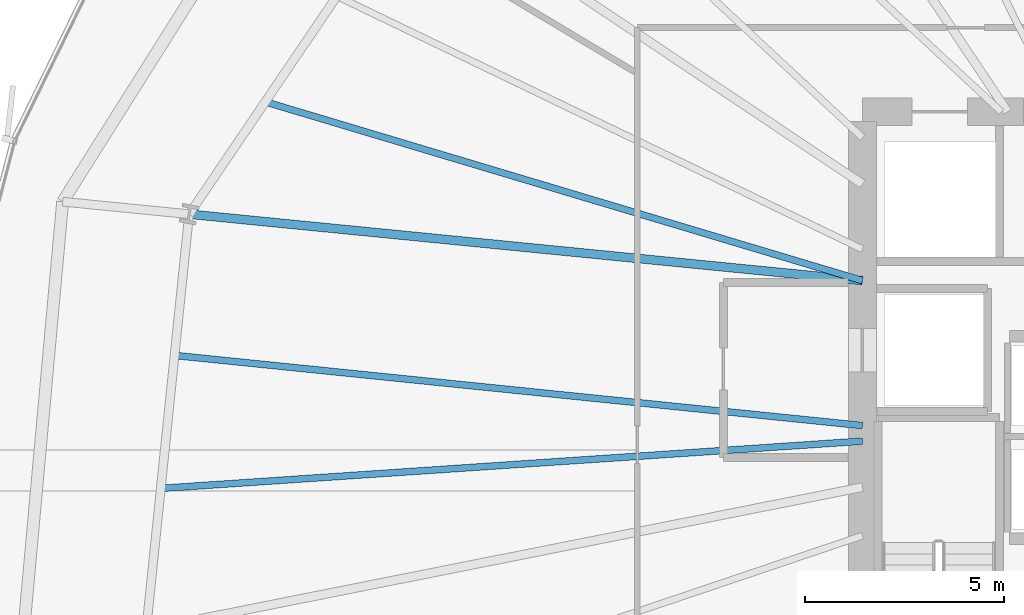
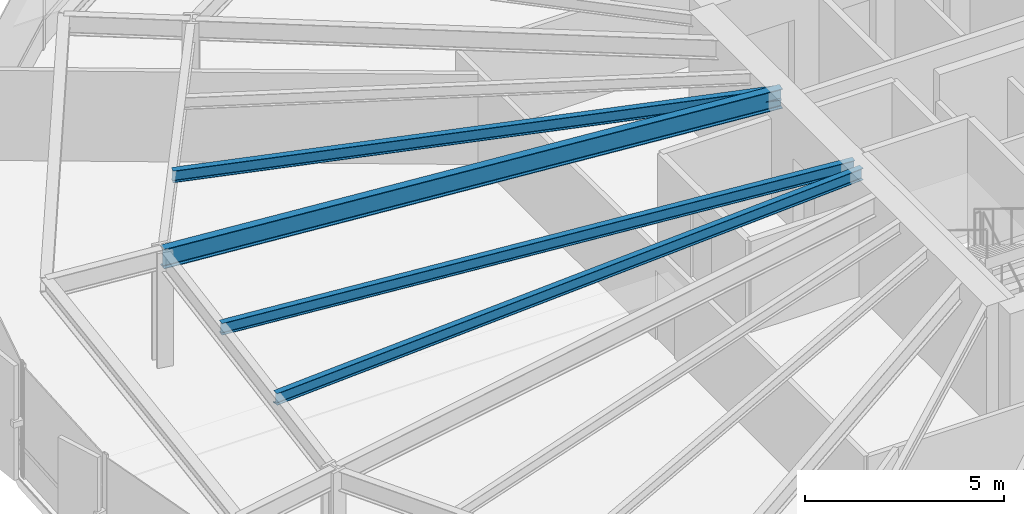
# One storey, part 10 of 39: 4 beams.
"""IFC4 building model written with IfcOpenShell, lengths in metres."""

import ifcopenshell
import ifcopenshell.guid

model = None  # the IFC model being written
_history = None  # IfcOwnerHistory: only IFC2X3 demands one
_inside = {}  # id of a spatial element -> (the spatial element, [elements in it])
_under = {}  # id of a project, library or spatial element -> (it, [spatial elements below it])
_declared = {}  # id of a project -> (the project, [libraries it declares])
_typed = {}  # id of a type object -> (the type object, [elements of that type])
_made_of = {}  # id of a material, layer set ... -> (it, [elements and type objects made of it])


def new_model(schema):
    """Start an empty IFC model of exactly this schema.

    Asked for "IFC4X3", IfcOpenShell would pick the latest addendum, in which some entities
    have other attributes; the version numbers below select the first issue.
    IFC2X3 requires an IfcOwnerHistory on every rooted entity: one is made here for all.
    """
    global model, _history
    if schema == "IFC4X3":
        model = ifcopenshell.file(schema_version=(4, 3, 0, 0))
    else:
        model = ifcopenshell.file(schema=schema)
    _inside.clear()
    _under.clear()
    _declared.clear()
    _typed.clear()
    _made_of.clear()
    _history = None
    if model.schema == "IFC2X3":
        org = make("IfcOrganization", Name="unknown")
        user = make(
            "IfcPersonAndOrganization",
            ThePerson=make("IfcPerson", FamilyName="unknown"),
            TheOrganization=org,
        )
        app = make(
            "IfcApplication",
            ApplicationDeveloper=org,
            Version="unknown",
            ApplicationFullName="unknown",
            ApplicationIdentifier="unknown",
        )
        _history = make(
            "IfcOwnerHistory",
            OwningUser=user,
            OwningApplication=app,
            ChangeAction="ADDED",
            CreationDate=0,
        )
    return model


def make(cls, **values):
    """One entity of the class cls with the attributes given. An attribute that is None is left unset."""
    return model.create_entity(
        cls, **{name: value for name, value in values.items() if value is not None}
    )


def rooted(cls, **values):
    """An entity with a GlobalId (a new one), such as an element, a storey or a relation."""
    return make(cls, GlobalId=ifcopenshell.guid.new(), OwnerHistory=_history, **values)


def si_unit(unit_type, name, prefix=None):
    """IfcSIUnit, for example si_unit("LENGTHUNIT", "METRE", prefix="MILLI")."""
    return make("IfcSIUnit", UnitType=unit_type, Prefix=prefix, Name=name)


def assignment(units):
    """IfcUnitAssignment: the units of a project."""
    return None if units is None else make("IfcUnitAssignment", Units=units)


def point(xyz):
    """IfcCartesianPoint."""
    return None if xyz is None else make("IfcCartesianPoint", Coordinates=xyz)


def direction(xyz):
    """IfcDirection."""
    return None if xyz is None else make("IfcDirection", DirectionRatios=xyz)


def frame(location, z_axis=None, x_axis=None):
    """IfcAxis2Placement3D, a coordinate frame: its origin and axes. An axis left out is left unset."""
    return make(
        "IfcAxis2Placement3D",
        Location=point(location),
        Axis=direction(z_axis),
        RefDirection=direction(x_axis),
    )


def frame_2d(location, x_axis=None):
    """IfcAxis2Placement2D, a coordinate frame in the plane: its origin and x axis."""
    return make(
        "IfcAxis2Placement2D", Location=point(location), RefDirection=direction(x_axis)
    )


def origin():
    """The frame at (0, 0, 0) with its axes left unset."""
    return frame((0.0, 0.0, 0.0))


def origin_2d():
    """The frame at (0, 0) in the plane with its x axis left unset."""
    return frame_2d((0.0, 0.0))


def place(relative_to, where):
    """IfcLocalPlacement: puts the frame where relative to a parent placement (None: the world)."""
    return make(
        "IfcLocalPlacement", PlacementRelTo=relative_to, RelativePlacement=where
    )


def context(
    kind, dimensions, precision=None, world=None, true_north=None, identifier=None
):
    """IfcGeometricRepresentationContext, for example the 3D "Model" context."""
    return make(
        "IfcGeometricRepresentationContext",
        ContextIdentifier=identifier,
        ContextType=kind,
        CoordinateSpaceDimension=dimensions,
        Precision=precision,
        WorldCoordinateSystem=world,
        TrueNorth=true_north,
    )


def subcontext(parent, identifier, kind, view, scale=None):
    """IfcGeometricRepresentationSubContext, for example "Body" below "Model"."""
    return make(
        "IfcGeometricRepresentationSubContext",
        ContextIdentifier=identifier,
        ContextType=kind,
        ParentContext=parent,
        TargetScale=scale,
        TargetView=view,
    )


def project(units=None, contexts=None):
    """IfcProject with its units and contexts."""
    return rooted(
        "IfcProject",
        Name="project",
        RepresentationContexts=contexts,
        UnitsInContext=assignment(units),
    )


def spatial(cls, under=None, at=None, **own):
    """A site, building, storey or space (cls), placed at a placement, below another one or the project."""
    s = rooted(cls, ObjectPlacement=at, **own)
    if under is not None:
        _under.setdefault(under.id(), (under, []))[1].append(s)
    return s


def profile(cls, at=None, kind="AREA", **sizes):
    """A parametric profile (cls). Its sizes go by their IFC names, for example OverallWidth=200.0."""
    return make(cls, ProfileType=kind, Position=at, **sizes)


def i_section(**sizes):
    """IfcIShapeProfileDef."""
    return profile("IfcIShapeProfileDef", **sizes)


def extrude(swept, where, along, depth):
    """IfcExtrudedAreaSolid: the profile swept, set in the frame where, extruded along a direction by depth."""
    return make(
        "IfcExtrudedAreaSolid",
        SweptArea=swept,
        Position=where,
        ExtrudedDirection=direction(along),
        Depth=depth,
    )


def shape(context_of_items, identifier, shape_type, items):
    """IfcShapeRepresentation: the items that make up one representation, for example the "Body"."""
    return make(
        "IfcShapeRepresentation",
        ContextOfItems=context_of_items,
        RepresentationIdentifier=identifier,
        RepresentationType=shape_type,
        Items=items,
    )


def source(mapping_origin, context_of_items, identifier, shape_type, items):
    """IfcRepresentationMap: a shape defined once, which mapped items show again and again."""
    return make(
        "IfcRepresentationMap",
        MappingOrigin=mapping_origin,
        MappedRepresentation=shape(context_of_items, identifier, shape_type, items),
    )


def transform(
    local_origin,
    x_axis=None,
    y_axis=None,
    z_axis=None,
    scale=None,
    scale2=None,
    scale3=None,
    uniform=True,
):
    """IfcCartesianTransformationOperator3D, or its non-uniform kind. x_axis, y_axis, z_axis: its Axis1, 2, 3."""
    if uniform:
        return make(
            "IfcCartesianTransformationOperator3D",
            Axis1=direction(x_axis),
            Axis2=direction(y_axis),
            LocalOrigin=point(local_origin),
            Scale=scale,
            Axis3=direction(z_axis),
        )
    return make(
        "IfcCartesianTransformationOperator3DnonUniform",
        Axis1=direction(x_axis),
        Axis2=direction(y_axis),
        LocalOrigin=point(local_origin),
        Scale=scale,
        Axis3=direction(z_axis),
        Scale2=scale2,
        Scale3=scale3,
    )


def mapped(mapping_source, mapping_target):
    """IfcMappedItem: shows the shape of a source again, moved by a transform."""
    return make(
        "IfcMappedItem", MappingSource=mapping_source, MappingTarget=mapping_target
    )


def material(Name=None, Category=None):
    """IfcMaterial."""
    return make("IfcMaterial", Name=Name, Category=Category)


def material_profile(
    of_material, cross_section, Name=None, Category=None, Priority=None
):
    """IfcMaterialProfile: a cross section and its material."""
    return make(
        "IfcMaterialProfile",
        Name=Name,
        Material=of_material,
        Profile=cross_section,
        Priority=Priority,
        Category=Category,
    )


def profile_set(profiles, Name=None, composite=None):
    """IfcMaterialProfileSet."""
    return make(
        "IfcMaterialProfileSet",
        Name=Name,
        MaterialProfiles=profiles,
        CompositeProfile=composite,
    )


def made_of(thing, what):
    """Note that an element or type object is made of a material, layer set ...; save() writes the relation."""
    if what is not None:
        _made_of.setdefault(what.id(), (what, []))[1].append(thing)
    return thing


def type_object(cls, material=None, **own):
    """A type object (cls), such as IfcWallType, which elements share."""
    return made_of(rooted(cls, **own), material)


def element(
    cls,
    number,
    at=None,
    inside=None,
    cuts=None,
    type_object=None,
    material=None,
    context=None,
    identifier="Body",
    shape_type=None,
    held_by="IfcProductDefinitionShape",
    body=None,
    shapes=None,
    **own,
):
    """One element of the class cls, such as IfcWall. Its Tag is "e" and its number.

    at: its placement. inside: the storey or other place that contains it. cuts: it is an
    opening in that element (IfcRelVoidsElement). A single representation is given by context,
    identifier, shape_type and body (its items); several are given by shapes. held_by: the class
    of the entity that holds the representations. save() writes the other relations.
    """
    e = rooted(cls, Tag="e%d" % number, ObjectPlacement=at, **own)
    if body is not None:
        shapes = [shape(context, identifier, shape_type, body)]
    if shapes is not None:
        e.Representation = make(held_by, Representations=shapes)
    if inside is not None:
        _inside.setdefault(inside.id(), (inside, []))[1].append(e)
    if cuts is not None:
        rooted(
            "IfcRelVoidsElement", RelatingBuildingElement=cuts, RelatedOpeningElement=e
        )
    if type_object is not None:
        _typed.setdefault(type_object.id(), (type_object, []))[1].append(e)
    return made_of(e, material)


def aggregate(whole, parts):
    """IfcRelAggregates: a whole, such as a stair, and the parts it consists of."""
    return rooted("IfcRelAggregates", RelatingObject=whole, RelatedObjects=parts)


def save(model, path):
    """Write the relations noted so far, then the file.

    IfcRelAggregates (storeys below a building ...), IfcRelContainedInSpatialStructure (elements
    in a storey), IfcRelDefinesByType, IfcRelAssociatesMaterial and IfcRelDeclares: one each for
    every whole, place, type object, material and project.
    """
    for whole, parts in _under.values():
        aggregate(whole, parts)
    for where, things in _inside.values():
        rooted(
            "IfcRelContainedInSpatialStructure",
            RelatedElements=things,
            RelatingStructure=where,
        )
    for kind, things in _typed.values():
        rooted("IfcRelDefinesByType", RelatedObjects=things, RelatingType=kind)
    for what, things in _made_of.values():
        rooted("IfcRelAssociatesMaterial", RelatedObjects=things, RelatingMaterial=what)
    for by, libraries in _declared.values():
        rooted("IfcRelDeclares", RelatingContext=by, RelatedDefinitions=libraries)
    model.write(path)


model = new_model("IFC4")

# Units and contexts
model_context = context("Model", 3, precision=1e-05, world=origin(), true_north=direction((0.0, 1.0)))
body_context = subcontext(model_context, "Body", "Model", "MODEL_VIEW")
ifc_project = project(units=[si_unit("LENGTHUNIT", "METRE"), si_unit("AREAUNIT", "SQUARE_METRE"), si_unit("VOLUMEUNIT", "CUBIC_METRE"), si_unit("PLANEANGLEUNIT", "RADIAN"), si_unit("MASSUNIT", "GRAM", prefix="KILO"), si_unit("THERMODYNAMICTEMPERATUREUNIT", "KELVIN")], contexts=[model_context])

# Site, building, storey
site_placement = place(None, origin())
site = spatial("IfcSite", under=ifc_project, at=site_placement, CompositionType="ELEMENT")
building_placement = place(site_placement, origin())
building = spatial("IfcBuilding", under=site, at=building_placement, Name="Kethvar Cultural Tower", CompositionType="ELEMENT")
storey_placement = place(building_placement, frame((0.0, 0.0, 44.800048828125)))
storey = spatial("IfcBuildingStorey", under=building, at=storey_placement, Name="L10", CompositionType="ELEMENT", Elevation=44.800048828125)

# Beams
ifc_material = material(Name="Steel S355J2", Category="steel")
ifc_material_profile_1 = material_profile(ifc_material, i_section(OverallWidth=0.219970703125, OverallDepth=0.60009765625, WebThickness=0.011962890625, FlangeThickness=0.01904296875, FilletRadius=0.02392578125, at=origin_2d()), Name="Steel S355J2 — IPE600")
ifc_profile_set_1 = profile_set([ifc_material_profile_1], Name="Steel S355J2 — IPE600")
beam_type_1 = type_object("IfcBeamType", Name="BM-IPE600", PredefinedType="BEAM", material=ifc_profile_set_1)
shared_shape_1 = source(origin(), body_context, "Body", "SweptSolid", [
    extrude(i_section(OverallWidth=0.219970703125, OverallDepth=0.60009765625, WebThickness=0.011962890625, FlangeThickness=0.01904296875, FilletRadius=0.02392578125, at=origin_2d()), origin(), (0.0, 0.0, 1.0), 17.03515625),
])
beam_1_placement = place(storey_placement, frame((38.0, 31.25, 3.248046875), z_axis=(-0.995168138859, 0.098185413375, 0.0), x_axis=(-0.098185413375, -0.995168138859, 0.0)))
element("IfcBeam", 1, at=beam_1_placement, inside=storey, type_object=beam_type_1, Name="L10 Primary Radial Beam RB-08", PredefinedType="BEAM", context=body_context, shape_type="MappedRepresentation", body=[
    mapped(shared_shape_1, transform((0.0, 0.0, 0.0), scale=1.0)),
])
ifc_material_profile_2 = material_profile(ifc_material, i_section(OverallWidth=0.169921875, OverallDepth=0.360107421875, WebThickness=0.008056640625, FlangeThickness=0.0126953125, FilletRadius=0.01806640625, at=origin_2d()), Name="Steel S355J2 — IPE360")
ifc_profile_set_2 = profile_set([ifc_material_profile_2], Name="Steel S355J2 — IPE360")
beam_type_2 = type_object("IfcBeamType", Name="BM-J360", PredefinedType="JOIST", material=ifc_profile_set_2)
shared_shape_2 = source(origin(), body_context, "Body", "SweptSolid", [
    extrude(i_section(OverallWidth=0.169921875, OverallDepth=0.360107421875, WebThickness=0.008056640625, FlangeThickness=0.0126953125, FilletRadius=0.01806640625, at=origin_2d()), origin(), (0.0, 0.0, 1.0), 15.6953125),
])
beam_2_placement = place(storey_placement, frame((38.0, 31.25, 3.367919921875), z_axis=(-0.958003344758, 0.28675702508, 0.0), x_axis=(-0.28675702508, -0.958003344758, 0.0)))
element("IfcBeam", 2, at=beam_2_placement, inside=storey, type_object=beam_type_2, Name="L10 Composite Floor Joist J-07B", PredefinedType="JOIST", context=body_context, shape_type="MappedRepresentation", body=[
    mapped(shared_shape_2, transform((0.0, 0.0, 0.0), scale=1.0)),
])
shared_shape_3 = source(origin(), body_context, "Body", "SweptSolid", [
    extrude(i_section(OverallWidth=0.169921875, OverallDepth=0.360107421875, WebThickness=0.008056640625, FlangeThickness=0.0126953125, FilletRadius=0.01806640625, at=origin_2d()), origin(), (0.0, 0.0, 1.0), 17.410400390625),
])
beam_3_placement = place(storey_placement, frame((38.0, 27.60009765625, 3.367919921875), z_axis=(-0.99484162516, 0.101440331474, 0.0), x_axis=(-0.101440331474, -0.99484162516, 0.0)))
element("IfcBeam", 3, at=beam_3_placement, inside=storey, type_object=beam_type_2, Name="L10 Composite Floor Joist J-08A", PredefinedType="JOIST", context=body_context, shape_type="MappedRepresentation", body=[
    mapped(shared_shape_3, transform((0.0, 0.0, 0.0), scale=1.0)),
])
shared_shape_4 = source(origin(), body_context, "Body", "SweptSolid", [
    extrude(i_section(OverallWidth=0.169921875, OverallDepth=0.360107421875, WebThickness=0.008056640625, FlangeThickness=0.0126953125, FilletRadius=0.01806640625, at=origin_2d()), origin(), (0.0, 0.0, 1.0), 17.70654296875),
])
beam_4_placement = place(storey_placement, frame((38.0, 27.207763671875, 3.367919921875), z_axis=(-0.997742984455, -0.067148618533, 0.0), x_axis=(0.067148618533, -0.997742984455, 0.0)))
element("IfcBeam", 4, at=beam_4_placement, inside=storey, type_object=beam_type_2, Name="L10 Composite Floor Joist J-08B", PredefinedType="JOIST", context=body_context, shape_type="MappedRepresentation", body=[
    mapped(shared_shape_4, transform((0.0, 0.0, 0.0), scale=1.0)),
])

save(model, "model.ifc")
